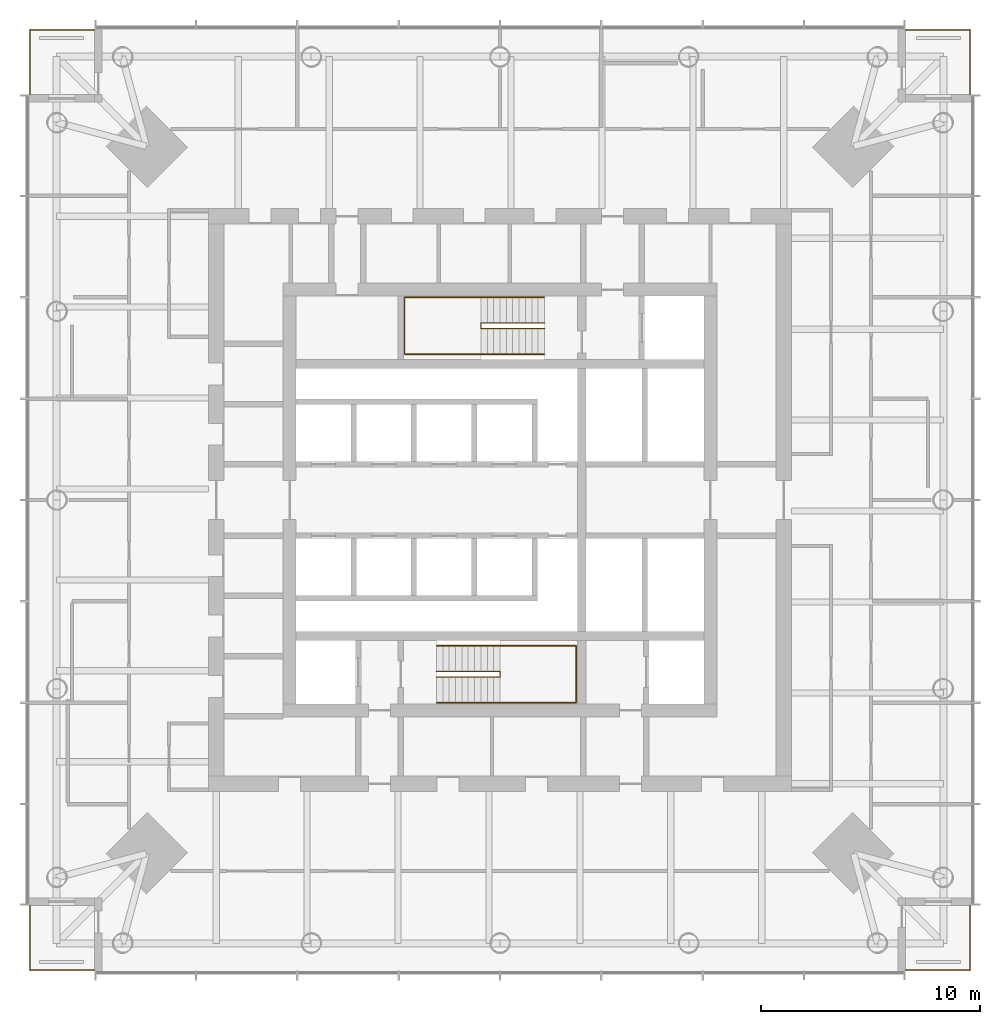
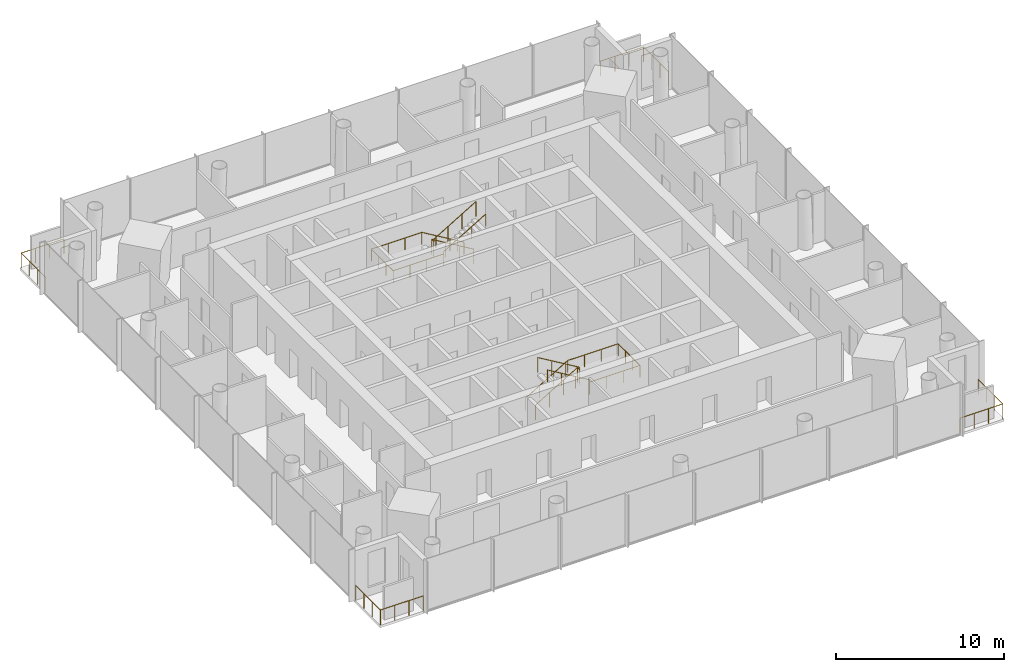
# One storey, part 9 of 9: 8 railings.
"""IFC4 building model written with IfcOpenShell, lengths in metres."""

from ifc_helpers import new_model, si_unit, direction, frame, origin, origin_2d, place, context, subcontext, project, spatial, circle, extrude, material, type_object, element, save


model = new_model("IFC4")

# Units and contexts
model_context = context("Model", 3, precision=1e-05, world=origin(), true_north=direction((0.0, 1.0)))
body_context = subcontext(model_context, "Body", "Model", "MODEL_VIEW")
ifc_project = project(units=[si_unit("LENGTHUNIT", "METRE"), si_unit("AREAUNIT", "SQUARE_METRE"), si_unit("VOLUMEUNIT", "CUBIC_METRE"), si_unit("PLANEANGLEUNIT", "RADIAN"), si_unit("MASSUNIT", "GRAM", prefix="KILO")], contexts=[model_context])

# Site, building, storey
site_placement = place(None, origin())
site = spatial("IfcSite", under=ifc_project, at=site_placement, CompositionType="ELEMENT")
building_placement = place(site_placement, origin())
building = spatial("IfcBuilding", under=site, at=building_placement, Name="Ostroluk Exchange", CompositionType="ELEMENT")
storey_placement = place(building_placement, frame((0.0, 0.0, 138.800048828125)))
storey = spatial("IfcBuildingStorey", under=building, at=storey_placement, Name="L35", CompositionType="ELEMENT", Elevation=138.800048828125)

# Railings
ifc_material_1 = material(Name="Stainless steel", Category="steel")
railing_type_1 = type_object("IfcRailingType", Name="Guard 1100 stainless steel", PredefinedType="GUARDRAIL", material=ifc_material_1)
railing_1_placement = place(storey_placement, frame((63.5, 24.550048828125, 0.0)))
element("IfcRailing", 1, at=railing_1_placement, inside=storey, type_object=railing_type_1, Name="Office tower SE balcony guard L35", PredefinedType="GUARDRAIL", context=body_context, shape_type="SweptSolid", body=[
    extrude(circle(Radius=0.02392578125, at=origin_2d()), frame((0.0, 0.0, 1.076171875), z_axis=(1.0, 0.0, 0.0), x_axis=(0.0, 1.0, 0.0)), (0.0, 0.0, 1.0), 2.949951171875),
    extrude(circle(Radius=0.02392578125, at=origin_2d()), frame((2.949951171875, 0.0, 1.076171875), z_axis=(0.0, 1.0, 0.0), x_axis=(-1.0, 0.0, 0.0)), (0.0, 0.0, 1.0), 2.949951171875),
    extrude(circle(Radius=0.02099609375, at=origin_2d()), origin(), (0.0, 0.0, 1.0), 1.052001953125),
    extrude(circle(Radius=0.02099609375, at=origin_2d()), frame((0.9833984375, 0.0, 0.0)), (0.0, 0.0, 1.0), 1.052001953125),
    extrude(circle(Radius=0.02099609375, at=origin_2d()), frame((1.966552734375, 0.0, 0.0)), (0.0, 0.0, 1.0), 1.052001953125),
    extrude(circle(Radius=0.02099609375, at=origin_2d()), frame((2.949951171875, 0.0, 0.0)), (0.0, 0.0, 1.0), 1.052001953125),
    extrude(circle(Radius=0.02099609375, at=origin_2d()), frame((2.949951171875, 0.9833984375, 0.0)), (0.0, 0.0, 1.0), 1.052001953125),
    extrude(circle(Radius=0.02099609375, at=origin_2d()), frame((2.949951171875, 1.966552734375, 0.0)), (0.0, 0.0, 1.0), 1.052001953125),
    extrude(circle(Radius=0.02099609375, at=origin_2d()), frame((2.949951171875, 2.949951171875, 0.0)), (0.0, 0.0, 1.0), 1.052001953125),
])
railing_2_placement = place(storey_placement, frame((63.5, 67.449951171875, 0.0)))
element("IfcRailing", 2, at=railing_2_placement, inside=storey, type_object=railing_type_1, Name="Office tower NE balcony guard L35", PredefinedType="GUARDRAIL", context=body_context, shape_type="SweptSolid", body=[
    extrude(circle(Radius=0.02392578125, at=origin_2d()), frame((0.0, 0.0, 1.076171875), z_axis=(1.0, 0.0, 0.0), x_axis=(0.0, 1.0, 0.0)), (0.0, 0.0, 1.0), 2.949951171875),
    extrude(circle(Radius=0.02392578125, at=origin_2d()), frame((2.949951171875, 0.0, 1.076171875), z_axis=(0.0, -1.0, 0.0), x_axis=(1.0, 0.0, 0.0)), (0.0, 0.0, 1.0), 2.949951171875),
    extrude(circle(Radius=0.02099609375, at=origin_2d()), origin(), (0.0, 0.0, 1.0), 1.052001953125),
    extrude(circle(Radius=0.02099609375, at=origin_2d()), frame((0.9833984375, 0.0, 0.0)), (0.0, 0.0, 1.0), 1.052001953125),
    extrude(circle(Radius=0.02099609375, at=origin_2d()), frame((1.966552734375, 0.0, 0.0)), (0.0, 0.0, 1.0), 1.052001953125),
    extrude(circle(Radius=0.02099609375, at=origin_2d()), frame((2.949951171875, 0.0, 0.0)), (0.0, 0.0, 1.0), 1.052001953125),
    extrude(circle(Radius=0.02099609375, at=origin_2d()), frame((2.949951171875, -0.9833984375, 0.0)), (0.0, 0.0, 1.0), 1.052001953125),
    extrude(circle(Radius=0.02099609375, at=origin_2d()), frame((2.949951171875, -1.966552734375, 0.0)), (0.0, 0.0, 1.0), 1.052001953125),
    extrude(circle(Radius=0.02099609375, at=origin_2d()), frame((2.949951171875, -2.949951171875, 0.0)), (0.0, 0.0, 1.0), 1.052001953125),
])
railing_3_placement = place(storey_placement, frame((26.5, 67.449951171875, 0.0)))
element("IfcRailing", 3, at=railing_3_placement, inside=storey, type_object=railing_type_1, Name="Office tower NW balcony guard L35", PredefinedType="GUARDRAIL", context=body_context, shape_type="SweptSolid", body=[
    extrude(circle(Radius=0.02392578125, at=origin_2d()), frame((0.0, 0.0, 1.076171875), z_axis=(-1.0, 0.0, 0.0), x_axis=(0.0, -1.0, 0.0)), (0.0, 0.0, 1.0), 2.949951171875),
    extrude(circle(Radius=0.02392578125, at=origin_2d()), frame((-2.949951171875, 0.0, 1.076171875), z_axis=(0.0, -1.0, 0.0), x_axis=(1.0, 0.0, 0.0)), (0.0, 0.0, 1.0), 2.949951171875),
    extrude(circle(Radius=0.02099609375, at=origin_2d()), origin(), (0.0, 0.0, 1.0), 1.052001953125),
    extrude(circle(Radius=0.02099609375, at=origin_2d()), frame((-0.9833984375, 0.0, 0.0)), (0.0, 0.0, 1.0), 1.052001953125),
    extrude(circle(Radius=0.02099609375, at=origin_2d()), frame((-1.966552734375, 0.0, 0.0)), (0.0, 0.0, 1.0), 1.052001953125),
    extrude(circle(Radius=0.02099609375, at=origin_2d()), frame((-2.949951171875, 0.0, 0.0)), (0.0, 0.0, 1.0), 1.052001953125),
    extrude(circle(Radius=0.02099609375, at=origin_2d()), frame((-2.949951171875, -0.9833984375, 0.0)), (0.0, 0.0, 1.0), 1.052001953125),
    extrude(circle(Radius=0.02099609375, at=origin_2d()), frame((-2.949951171875, -1.966552734375, 0.0)), (0.0, 0.0, 1.0), 1.052001953125),
    extrude(circle(Radius=0.02099609375, at=origin_2d()), frame((-2.949951171875, -2.949951171875, 0.0)), (0.0, 0.0, 1.0), 1.052001953125),
])
railing_4_placement = place(storey_placement, frame((26.5, 24.550048828125, 0.0)))
element("IfcRailing", 4, at=railing_4_placement, inside=storey, type_object=railing_type_1, Name="Office tower SW balcony guard L35", PredefinedType="GUARDRAIL", context=body_context, shape_type="SweptSolid", body=[
    extrude(circle(Radius=0.02392578125, at=origin_2d()), frame((0.0, 0.0, 1.076171875), z_axis=(-1.0, 0.0, 0.0), x_axis=(0.0, -1.0, 0.0)), (0.0, 0.0, 1.0), 2.949951171875),
    extrude(circle(Radius=0.02392578125, at=origin_2d()), frame((-2.949951171875, 0.0, 1.076171875), z_axis=(0.0, 1.0, 0.0), x_axis=(-1.0, 0.0, 0.0)), (0.0, 0.0, 1.0), 2.949951171875),
    extrude(circle(Radius=0.02099609375, at=origin_2d()), origin(), (0.0, 0.0, 1.0), 1.052001953125),
    extrude(circle(Radius=0.02099609375, at=origin_2d()), frame((-0.9833984375, 0.0, 0.0)), (0.0, 0.0, 1.0), 1.052001953125),
    extrude(circle(Radius=0.02099609375, at=origin_2d()), frame((-1.966552734375, 0.0, 0.0)), (0.0, 0.0, 1.0), 1.052001953125),
    extrude(circle(Radius=0.02099609375, at=origin_2d()), frame((-2.949951171875, 0.0, 0.0)), (0.0, 0.0, 1.0), 1.052001953125),
    extrude(circle(Radius=0.02099609375, at=origin_2d()), frame((-2.949951171875, 0.9833984375, 0.0)), (0.0, 0.0, 1.0), 1.052001953125),
    extrude(circle(Radius=0.02099609375, at=origin_2d()), frame((-2.949951171875, 1.966552734375, 0.0)), (0.0, 0.0, 1.0), 1.052001953125),
    extrude(circle(Radius=0.02099609375, at=origin_2d()), frame((-2.949951171875, 2.949951171875, 0.0)), (0.0, 0.0, 1.0), 1.052001953125),
])
ifc_material_2 = material(Name="Steel S355", Category="steel")
railing_type_2 = type_object("IfcRailingType", Name="Stair guard 1100", PredefinedType="GUARDRAIL", material=ifc_material_2)
railing_5_placement = place(storey_placement, frame((42.10009765625, 38.179931640625, 0.172607421875)))
element("IfcRailing", 5, at=railing_5_placement, inside=storey, type_object=railing_type_2, Name="Stair T1-S1 guard L35", PredefinedType="GUARDRAIL", context=body_context, shape_type="SweptSolid", body=[
    extrude(circle(Radius=0.02392578125, at=origin_2d()), frame((0.0, 0.0, 1.076171875), z_axis=(0.859141464434, 0.0, 0.511738159696), x_axis=(0.0, 1.0, 0.0)), (0.0, 0.0, 1.0), 3.375244140625),
    extrude(circle(Radius=0.02392578125, at=origin_2d()), frame((2.89990234375, 0.0, 2.80322265625), z_axis=(0.0, -1.0, 0.0), x_axis=(1.0, 0.0, 0.0)), (0.0, 0.0, 1.0), 0.260009765625),
    extrude(circle(Radius=0.02392578125, at=origin_2d()), frame((2.89990234375, -0.260009765625, 2.80322265625), z_axis=(0.0, 0.0, 1.0), x_axis=(1.0, 0.0, 0.0)), (0.0, 0.0, 1.0), 0.1728515625),
    extrude(circle(Radius=0.02392578125, at=origin_2d()), frame((2.89990234375, -0.260009765625, 2.97607421875), z_axis=(-0.859141464434, 0.0, 0.511738159696), x_axis=(0.0, -1.0, 0.0)), (0.0, 0.0, 1.0), 3.375244140625),
    extrude(circle(Radius=0.02099609375, at=origin_2d()), origin(), (0.0, 0.0, 1.0), 1.052001953125),
    extrude(circle(Radius=0.02099609375, at=origin_2d()), frame((0.966552734375, 0.0, 0.57568359375)), (0.0, 0.0, 1.0), 1.052001953125),
    extrude(circle(Radius=0.02099609375, at=origin_2d()), frame((1.933349609375, 0.0, 1.151611328125)), (0.0, 0.0, 1.0), 1.052001953125),
    extrude(circle(Radius=0.02099609375, at=origin_2d()), frame((2.89990234375, 0.0, 1.727294921875)), (0.0, 0.0, 1.0), 1.052001953125),
    extrude(circle(Radius=0.02099609375, at=origin_2d()), frame((2.89990234375, -0.260009765625, 1.727294921875)), (0.0, 0.0, 1.0), 1.052001953125),
    extrude(circle(Radius=0.02099609375, at=origin_2d()), frame((2.89990234375, -0.260009765625, 1.900146484375)), (0.0, 0.0, 1.0), 1.052001953125),
    extrude(circle(Radius=0.02099609375, at=origin_2d()), frame((1.933349609375, -0.260009765625, 2.475830078125)), (0.0, 0.0, 1.0), 1.052001953125),
    extrude(circle(Radius=0.02099609375, at=origin_2d()), frame((0.966552734375, -0.260009765625, 3.0517578125)), (0.0, 0.0, 1.0), 1.052001953125),
    extrude(circle(Radius=0.02099609375, at=origin_2d()), frame((0.0, -0.260009765625, 3.62744140625)), (0.0, 0.0, 1.0), 1.052001953125),
])
railing_6_placement = place(storey_placement, frame((47.030029296875, 54.080078125, 0.172607421875)))
element("IfcRailing", 6, at=railing_6_placement, inside=storey, type_object=railing_type_2, Name="Stair T1-S2 guard L35", PredefinedType="GUARDRAIL", context=body_context, shape_type="SweptSolid", body=[
    extrude(circle(Radius=0.02392578125, at=origin_2d()), frame((0.0, 0.0, 1.076171875), z_axis=(-0.859160404282, 0.0, 0.51170636083), x_axis=(0.0, -1.0, 0.0)), (0.0, 0.0, 1.0), 3.37548828125),
    extrude(circle(Radius=0.02392578125, at=origin_2d()), frame((-2.900146484375, 0.0, 2.80322265625), z_axis=(0.0, -1.0, 0.0), x_axis=(1.0, 0.0, 0.0)), (0.0, 0.0, 1.0), 0.260009765625),
    extrude(circle(Radius=0.02392578125, at=origin_2d()), frame((-2.900146484375, -0.260009765625, 2.80322265625), z_axis=(0.0, 0.0, 1.0), x_axis=(1.0, 0.0, 0.0)), (0.0, 0.0, 1.0), 0.1728515625),
    extrude(circle(Radius=0.02392578125, at=origin_2d()), frame((-2.900146484375, -0.260009765625, 2.97607421875), z_axis=(0.859160404282, 0.0, 0.51170636083), x_axis=(0.0, 1.0, 0.0)), (0.0, 0.0, 1.0), 3.37548828125),
    extrude(circle(Radius=0.02099609375, at=origin_2d()), origin(), (0.0, 0.0, 1.0), 1.052001953125),
    extrude(circle(Radius=0.02099609375, at=origin_2d()), frame((-0.966796875, 0.0, 0.57568359375)), (0.0, 0.0, 1.0), 1.052001953125),
    extrude(circle(Radius=0.02099609375, at=origin_2d()), frame((-1.933349609375, 0.0, 1.151611328125)), (0.0, 0.0, 1.0), 1.052001953125),
    extrude(circle(Radius=0.02099609375, at=origin_2d()), frame((-2.900146484375, 0.0, 1.727294921875)), (0.0, 0.0, 1.0), 1.052001953125),
    extrude(circle(Radius=0.02099609375, at=origin_2d()), frame((-2.900146484375, -0.260009765625, 1.727294921875)), (0.0, 0.0, 1.0), 1.052001953125),
    extrude(circle(Radius=0.02099609375, at=origin_2d()), frame((-2.900146484375, -0.260009765625, 1.900146484375)), (0.0, 0.0, 1.0), 1.052001953125),
    extrude(circle(Radius=0.02099609375, at=origin_2d()), frame((-1.933349609375, -0.260009765625, 2.475830078125)), (0.0, 0.0, 1.0), 1.052001953125),
    extrude(circle(Radius=0.02099609375, at=origin_2d()), frame((-0.966796875, -0.260009765625, 3.0517578125)), (0.0, 0.0, 1.0), 1.052001953125),
    extrude(circle(Radius=0.02099609375, at=origin_2d()), frame((0.0, -0.260009765625, 3.62744140625)), (0.0, 0.0, 1.0), 1.052001953125),
])
ifc_material_3 = material(Name="Stainless steel", Category="steel")
railing_type_3 = type_object("IfcRailingType", Name="Stair handrail 900", PredefinedType="HANDRAIL", material=ifc_material_3)
railing_7_placement = place(storey_placement, frame((42.10009765625, 39.35009765625, 0.172607421875)))
element("IfcRailing", 7, at=railing_7_placement, inside=storey, type_object=railing_type_3, Name="Stair T1-S1 handrail L35", PredefinedType="HANDRAIL", context=body_context, shape_type="SweptSolid", body=[
    extrude(circle(Radius=0.02392578125, at=origin_2d()), frame((0.0, 0.0, 0.8759765625), z_axis=(0.859141464434, 0.0, 0.511738159696), x_axis=(0.0, 1.0, 0.0)), (0.0, 0.0, 1.0), 3.375244140625),
    extrude(circle(Radius=0.02392578125, at=origin_2d()), frame((2.89990234375, 0.0, 2.60302734375), z_axis=(1.0, 0.0, 0.0), x_axis=(0.0, 1.0, 0.0)), (0.0, 0.0, 1.0), 3.47998046875),
    extrude(circle(Radius=0.02392578125, at=origin_2d()), frame((6.3798828125, 0.0, 2.60302734375), z_axis=(0.0, -1.0, 0.0), x_axis=(1.0, 0.0, 0.0)), (0.0, 0.0, 1.0), 2.60009765625),
    extrude(circle(Radius=0.02392578125, at=origin_2d()), frame((6.3798828125, -2.60009765625, 2.60302734375), z_axis=(-1.0, 0.0, 0.0), x_axis=(0.0, -1.0, 0.0)), (0.0, 0.0, 1.0), 3.47998046875),
    extrude(circle(Radius=0.02392578125, at=origin_2d()), frame((2.89990234375, -2.60009765625, 2.60302734375), z_axis=(0.0, 0.0, 1.0), x_axis=(1.0, 0.0, 0.0)), (0.0, 0.0, 1.0), 0.1728515625),
    extrude(circle(Radius=0.02392578125, at=origin_2d()), frame((2.89990234375, -2.60009765625, 2.77587890625), z_axis=(-0.859141464434, 0.0, 0.511738159696), x_axis=(0.0, -1.0, 0.0)), (0.0, 0.0, 1.0), 3.375244140625),
    extrude(circle(Radius=0.02099609375, at=origin_2d()), origin(), (0.0, 0.0, 1.0), 0.851806640625),
    extrude(circle(Radius=0.02099609375, at=origin_2d()), frame((0.966552734375, 0.0, 0.57568359375)), (0.0, 0.0, 1.0), 0.851806640625),
    extrude(circle(Radius=0.02099609375, at=origin_2d()), frame((1.933349609375, 0.0, 1.151611328125)), (0.0, 0.0, 1.0), 0.851806640625),
    extrude(circle(Radius=0.02099609375, at=origin_2d()), frame((2.89990234375, 0.0, 1.727294921875)), (0.0, 0.0, 1.0), 0.851806640625),
    extrude(circle(Radius=0.02099609375, at=origin_2d()), frame((4.059814453125, 0.0, 1.727294921875)), (0.0, 0.0, 1.0), 0.851806640625),
    extrude(circle(Radius=0.02099609375, at=origin_2d()), frame((5.219970703125, 0.0, 1.727294921875)), (0.0, 0.0, 1.0), 0.851806640625),
    extrude(circle(Radius=0.02099609375, at=origin_2d()), frame((6.3798828125, 0.0, 1.727294921875)), (0.0, 0.0, 1.0), 0.851806640625),
    extrude(circle(Radius=0.02099609375, at=origin_2d()), frame((6.3798828125, -0.86669921875, 1.727294921875)), (0.0, 0.0, 1.0), 0.851806640625),
    extrude(circle(Radius=0.02099609375, at=origin_2d()), frame((6.3798828125, -1.7333984375, 1.727294921875)), (0.0, 0.0, 1.0), 0.851806640625),
    extrude(circle(Radius=0.02099609375, at=origin_2d()), frame((6.3798828125, -2.60009765625, 1.727294921875)), (0.0, 0.0, 1.0), 0.851806640625),
    extrude(circle(Radius=0.02099609375, at=origin_2d()), frame((5.219970703125, -2.60009765625, 1.727294921875)), (0.0, 0.0, 1.0), 0.851806640625),
    extrude(circle(Radius=0.02099609375, at=origin_2d()), frame((4.059814453125, -2.60009765625, 1.727294921875)), (0.0, 0.0, 1.0), 0.851806640625),
    extrude(circle(Radius=0.02099609375, at=origin_2d()), frame((2.89990234375, -2.60009765625, 1.727294921875)), (0.0, 0.0, 1.0), 0.851806640625),
    extrude(circle(Radius=0.02099609375, at=origin_2d()), frame((2.89990234375, -2.60009765625, 1.900146484375)), (0.0, 0.0, 1.0), 0.851806640625),
    extrude(circle(Radius=0.02099609375, at=origin_2d()), frame((1.933349609375, -2.60009765625, 2.475830078125)), (0.0, 0.0, 1.0), 0.851806640625),
    extrude(circle(Radius=0.02099609375, at=origin_2d()), frame((0.966552734375, -2.60009765625, 3.0517578125)), (0.0, 0.0, 1.0), 0.851806640625),
    extrude(circle(Radius=0.02099609375, at=origin_2d()), frame((0.0, -2.60009765625, 3.62744140625)), (0.0, 0.0, 1.0), 0.851806640625),
])
railing_8_placement = place(storey_placement, frame((47.030029296875, 55.25, 0.172607421875)))
element("IfcRailing", 8, at=railing_8_placement, inside=storey, type_object=railing_type_3, Name="Stair T1-S2 handrail L35", PredefinedType="HANDRAIL", context=body_context, shape_type="SweptSolid", body=[
    extrude(circle(Radius=0.02392578125, at=origin_2d()), frame((0.0, 0.0, 0.8759765625), z_axis=(-0.859160404282, 0.0, 0.51170636083), x_axis=(0.0, -1.0, 0.0)), (0.0, 0.0, 1.0), 3.37548828125),
    extrude(circle(Radius=0.02392578125, at=origin_2d()), frame((-2.900146484375, 0.0, 2.60302734375), z_axis=(-1.0, 0.0, 0.0), x_axis=(0.0, -1.0, 0.0)), (0.0, 0.0, 1.0), 3.47998046875),
    extrude(circle(Radius=0.02392578125, at=origin_2d()), frame((-6.380126953125, 0.0, 2.60302734375), z_axis=(0.0, -1.0, 0.0), x_axis=(1.0, 0.0, 0.0)), (0.0, 0.0, 1.0), 2.60009765625),
    extrude(circle(Radius=0.02392578125, at=origin_2d()), frame((-6.380126953125, -2.60009765625, 2.60302734375), z_axis=(1.0, 0.0, 0.0), x_axis=(0.0, 1.0, 0.0)), (0.0, 0.0, 1.0), 3.47998046875),
    extrude(circle(Radius=0.02392578125, at=origin_2d()), frame((-2.900146484375, -2.60009765625, 2.60302734375), z_axis=(0.0, 0.0, 1.0), x_axis=(1.0, 0.0, 0.0)), (0.0, 0.0, 1.0), 0.1728515625),
    extrude(circle(Radius=0.02392578125, at=origin_2d()), frame((-2.900146484375, -2.60009765625, 2.77587890625), z_axis=(0.859160404282, 0.0, 0.51170636083), x_axis=(0.0, 1.0, 0.0)), (0.0, 0.0, 1.0), 3.37548828125),
    extrude(circle(Radius=0.02099609375, at=origin_2d()), origin(), (0.0, 0.0, 1.0), 0.851806640625),
    extrude(circle(Radius=0.02099609375, at=origin_2d()), frame((-0.966796875, 0.0, 0.57568359375)), (0.0, 0.0, 1.0), 0.851806640625),
    extrude(circle(Radius=0.02099609375, at=origin_2d()), frame((-1.933349609375, 0.0, 1.151611328125)), (0.0, 0.0, 1.0), 0.851806640625),
    extrude(circle(Radius=0.02099609375, at=origin_2d()), frame((-2.900146484375, 0.0, 1.727294921875)), (0.0, 0.0, 1.0), 0.851806640625),
    extrude(circle(Radius=0.02099609375, at=origin_2d()), frame((-4.06005859375, 0.0, 1.727294921875)), (0.0, 0.0, 1.0), 0.851806640625),
    extrude(circle(Radius=0.02099609375, at=origin_2d()), frame((-5.22021484375, 0.0, 1.727294921875)), (0.0, 0.0, 1.0), 0.851806640625),
    extrude(circle(Radius=0.02099609375, at=origin_2d()), frame((-6.380126953125, 0.0, 1.727294921875)), (0.0, 0.0, 1.0), 0.851806640625),
    extrude(circle(Radius=0.02099609375, at=origin_2d()), frame((-6.380126953125, -0.86669921875, 1.727294921875)), (0.0, 0.0, 1.0), 0.851806640625),
    extrude(circle(Radius=0.02099609375, at=origin_2d()), frame((-6.380126953125, -1.7333984375, 1.727294921875)), (0.0, 0.0, 1.0), 0.851806640625),
    extrude(circle(Radius=0.02099609375, at=origin_2d()), frame((-6.380126953125, -2.60009765625, 1.727294921875)), (0.0, 0.0, 1.0), 0.851806640625),
    extrude(circle(Radius=0.02099609375, at=origin_2d()), frame((-5.22021484375, -2.60009765625, 1.727294921875)), (0.0, 0.0, 1.0), 0.851806640625),
    extrude(circle(Radius=0.02099609375, at=origin_2d()), frame((-4.06005859375, -2.60009765625, 1.727294921875)), (0.0, 0.0, 1.0), 0.851806640625),
    extrude(circle(Radius=0.02099609375, at=origin_2d()), frame((-2.900146484375, -2.60009765625, 1.727294921875)), (0.0, 0.0, 1.0), 0.851806640625),
    extrude(circle(Radius=0.02099609375, at=origin_2d()), frame((-2.900146484375, -2.60009765625, 1.900146484375)), (0.0, 0.0, 1.0), 0.851806640625),
    extrude(circle(Radius=0.02099609375, at=origin_2d()), frame((-1.933349609375, -2.60009765625, 2.475830078125)), (0.0, 0.0, 1.0), 0.851806640625),
    extrude(circle(Radius=0.02099609375, at=origin_2d()), frame((-0.966796875, -2.60009765625, 3.0517578125)), (0.0, 0.0, 1.0), 0.851806640625),
    extrude(circle(Radius=0.02099609375, at=origin_2d()), frame((0.0, -2.60009765625, 3.62744140625)), (0.0, 0.0, 1.0), 0.851806640625),
])

save(model, "model.ifc")
